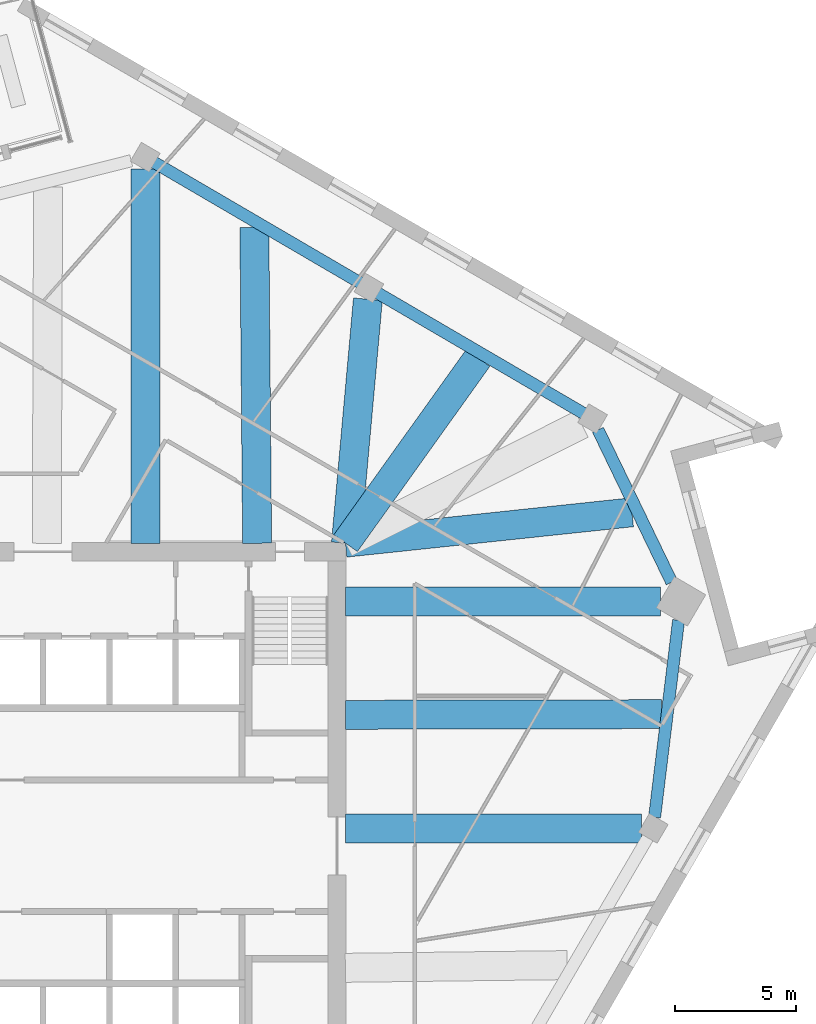
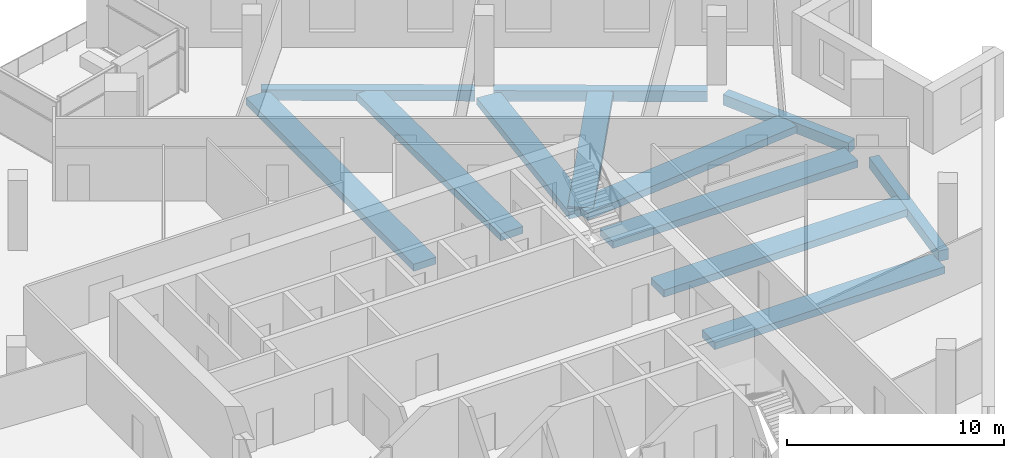
# One storey, part 3 of 13: 12 beams.
"""IFC4 building model written with IfcOpenShell, lengths in metres."""

from ifc_helpers import new_model, si_unit, direction, frame, origin, origin_2d, place, context, subcontext, project, spatial, rectangle, extrude, material, material_profile, profile_set, type_object, element, save


model = new_model("IFC4")

# Units and contexts
model_context = context("Model", 3, precision=1e-05, world=origin(), true_north=direction((0.0, 1.0)))
body_context = subcontext(model_context, "Body", "Model", "MODEL_VIEW")
ifc_project = project(units=[si_unit("LENGTHUNIT", "METRE"), si_unit("AREAUNIT", "SQUARE_METRE"), si_unit("VOLUMEUNIT", "CUBIC_METRE"), si_unit("PLANEANGLEUNIT", "RADIAN"), si_unit("MASSUNIT", "GRAM", prefix="KILO")], contexts=[model_context])

# Site, building, storey
site_placement = place(None, origin())
site = spatial("IfcSite", under=ifc_project, at=site_placement, CompositionType="ELEMENT")
building_placement = place(site_placement, origin())
building = spatial("IfcBuilding", under=site, at=building_placement, Name="Dilmun Exchange Tower", CompositionType="ELEMENT")
storey_placement = place(building_placement, frame((0.0, 0.0, 262.89990234375)))
storey = spatial("IfcBuildingStorey", under=building, at=storey_placement, Name="L62", CompositionType="ELEMENT", Elevation=262.89990234375)

# Beams
ifc_material = material(Name="Concrete C40/50", Category="concrete")
ifc_material_profile_1 = material_profile(ifc_material, rectangle(XDim=1.199951171875, YDim=0.39990234375, at=origin_2d()), Name="1200 x 400")
ifc_profile_set_1 = profile_set([ifc_material_profile_1], Name="Concrete C40/50")
beam_type_1 = type_object("IfcBeamType", Name="RC band beam 1200 x 400 C40/50", PredefinedType="BEAM", material=ifc_profile_set_1)
beam_1_placement = place(storey_placement, frame((24.773681640625, 0.721923828125, -0.659912109375), z_axis=(-1.0, 0.0, 0.0), x_axis=(0.0, -1.0, 0.0)))
element("IfcBeam", 1, at=beam_1_placement, inside=storey, type_object=beam_type_1, Name="Band beam 12", PredefinedType="BEAM", context=body_context, shape_type="SweptSolid", body=[
    extrude(rectangle(XDim=1.199951171875, YDim=0.39990234375, at=origin_2d()), origin(), (0.0, 0.0, 1.0), 12.250732421875),
])
beam_2_placement = place(storey_placement, frame((25.5732421875, 10.1220703125, -0.659912109375), z_axis=(-1.0, 0.0, 0.0), x_axis=(0.0, -1.0, 0.0)))
element("IfcBeam", 2, at=beam_2_placement, inside=storey, type_object=beam_type_1, Name="Band beam 13", PredefinedType="BEAM", context=body_context, shape_type="SweptSolid", body=[
    extrude(rectangle(XDim=1.199951171875, YDim=0.39990234375, at=origin_2d()), origin(), (0.0, 0.0, 1.0), 13.05029296875),
])
beam_3_placement = place(storey_placement, frame((13.456787109375, 22.625732421875, -0.659912109375), z_axis=(-0.089632924375, -0.995974868593, 0.0), x_axis=(0.995974868593, -0.089632924375, 0.0)))
element("IfcBeam", 3, at=beam_3_placement, inside=storey, type_object=beam_type_1, Name="Band beam 15", PredefinedType="BEAM", context=body_context, shape_type="SweptSolid", body=[
    extrude(rectangle(XDim=1.199951171875, YDim=0.39990234375, at=origin_2d()), origin(), (0.0, 0.0, 1.0), 10.143310546875),
])
beam_4_placement = place(storey_placement, frame((4.239990234375, 28.01171875, -0.659912109375), z_axis=(0.0, -1.0, 0.0), x_axis=(1.0, 0.0, 0.0)))
element("IfcBeam", 4, at=beam_4_placement, inside=storey, type_object=beam_type_1, Name="Band beam 16", PredefinedType="BEAM", context=body_context, shape_type="SweptSolid", body=[
    extrude(rectangle(XDim=1.199951171875, YDim=0.39990234375, at=origin_2d()), origin(), (0.0, 0.0, 1.0), 15.48876953125),
])
beam_5_placement = place(storey_placement, frame((25.6201171875, 5.448974609375, -0.559814453125), z_axis=(-0.999997897774, -0.002050474756, 0.0), x_axis=(0.002050474756, -0.999997897774, 0.0)))
element("IfcBeam", 5, at=beam_5_placement, inside=storey, type_object=beam_type_1, Name="Band beam 28", PredefinedType="BEAM", context=body_context, shape_type="SweptSolid", body=[
    extrude(rectangle(XDim=1.199951171875, YDim=0.39990234375, at=origin_2d()), origin(), (0.0, 0.0, 1.0), 13.09716796875),
])
beam_6_placement = place(storey_placement, frame((24.3857421875, 13.804931640625, -0.559814453125), z_axis=(-0.994425543871, -0.105441157505, 0.0), x_axis=(0.105441157505, -0.994425543871, 0.0)))
element("IfcBeam", 6, at=beam_6_placement, inside=storey, type_object=beam_type_1, Name="Band beam 29", PredefinedType="BEAM", context=body_context, shape_type="SweptSolid", body=[
    extrude(rectangle(XDim=1.199951171875, YDim=0.39990234375, at=origin_2d()), origin(), (0.0, 0.0, 1.0), 11.928955078125),
])
beam_7_placement = place(storey_placement, frame((18.01611328125, 20.195556640625, -0.559814453125), z_axis=(-0.581600762294, -0.81347437163, 0.0), x_axis=(0.81347437163, -0.581600762294, 0.0)))
element("IfcBeam", 7, at=beam_7_placement, inside=storey, type_object=beam_type_1, Name="Band beam 30", PredefinedType="BEAM", context=body_context, shape_type="SweptSolid", body=[
    extrude(rectangle(XDim=1.199951171875, YDim=0.39990234375, at=origin_2d()), origin(), (0.0, 0.0, 1.0), 9.425537109375),
])
beam_8_placement = place(storey_placement, frame((8.757080078125, 25.607421875, -0.559814453125), z_axis=(0.008582734208, -0.999963167658, 0.0), x_axis=(0.999963167658, 0.008582734208, 0.0)))
element("IfcBeam", 8, at=beam_8_placement, inside=storey, type_object=beam_type_1, Name="Band beam 31", PredefinedType="BEAM", context=body_context, shape_type="SweptSolid", body=[
    extrude(rectangle(XDim=1.199951171875, YDim=0.39990234375, at=origin_2d()), origin(), (0.0, 0.0, 1.0), 13.0849609375),
])
ifc_material_profile_2 = material_profile(ifc_material, rectangle(XDim=0.5, YDim=0.60009765625, at=origin_2d()), Name="500 x 600")
ifc_profile_set_2 = profile_set([ifc_material_profile_2], Name="Concrete C40/50")
beam_type_2 = type_object("IfcBeamType", Name="RC ring beam 500 x 600 C40/50", PredefinedType="SPANDREL", material=ifc_profile_set_2)
beam_9_placement = place(storey_placement, frame((25.32421875, 1.181640625, -0.659912109375), z_axis=(0.121108645076, 0.992639257781, 0.0), x_axis=(-0.992639257781, 0.121108645076, 0.0)))
element("IfcBeam", 9, at=beam_9_placement, inside=storey, type_object=beam_type_2, Name="Ring beam 12", PredefinedType="SPANDREL", context=body_context, shape_type="SweptSolid", body=[
    extrude(rectangle(XDim=0.5, YDim=0.60009765625, at=origin_2d()), origin(), (0.0, 0.0, 1.0), 8.216796875),
])
beam_10_placement = place(storey_placement, frame((26.033447265625, 10.910888671875, -0.659912109375), z_axis=(-0.435439794363, 0.900217854458, 0.0), x_axis=(-0.900217854458, -0.435439794363, 0.0)))
element("IfcBeam", 10, at=beam_10_placement, inside=storey, type_object=beam_type_2, Name="Ring beam 13", PredefinedType="SPANDREL", context=body_context, shape_type="SweptSolid", body=[
    extrude(rectangle(XDim=0.5, YDim=0.60009765625, at=origin_2d()), origin(), (0.0, 0.0, 1.0), 7.0068359375),
])
beam_11_placement = place(storey_placement, frame((22.392822265625, 17.8955078125, -0.659912109375), z_axis=(-0.863333071594, 0.504634528637, 0.0), x_axis=(-0.504634528637, -0.863333071594, 0.0)))
element("IfcBeam", 11, at=beam_11_placement, inside=storey, type_object=beam_type_2, Name="Ring beam 14", PredefinedType="SPANDREL", context=body_context, shape_type="SweptSolid", body=[
    extrude(rectangle(XDim=0.5, YDim=0.60009765625, at=origin_2d()), origin(), (0.0, 0.0, 1.0), 9.878662109375),
])
beam_12_placement = place(storey_placement, frame((13.1337890625, 23.3076171875, -0.659912109375), z_axis=(-0.863343838609, 0.504616107884, 0.0), x_axis=(-0.504616107884, -0.863343838609, 0.0)))
element("IfcBeam", 12, at=beam_12_placement, inside=storey, type_object=beam_type_2, Name="Ring beam 15", PredefinedType="SPANDREL", context=body_context, shape_type="SweptSolid", body=[
    extrude(rectangle(XDim=0.5, YDim=0.60009765625, at=origin_2d()), origin(), (0.0, 0.0, 1.0), 9.87841796875),
])

save(model, "model.ifc")
